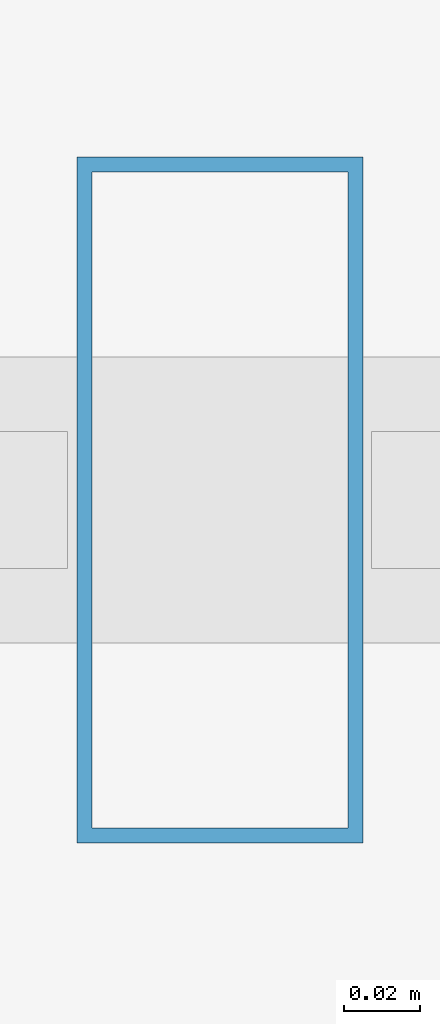
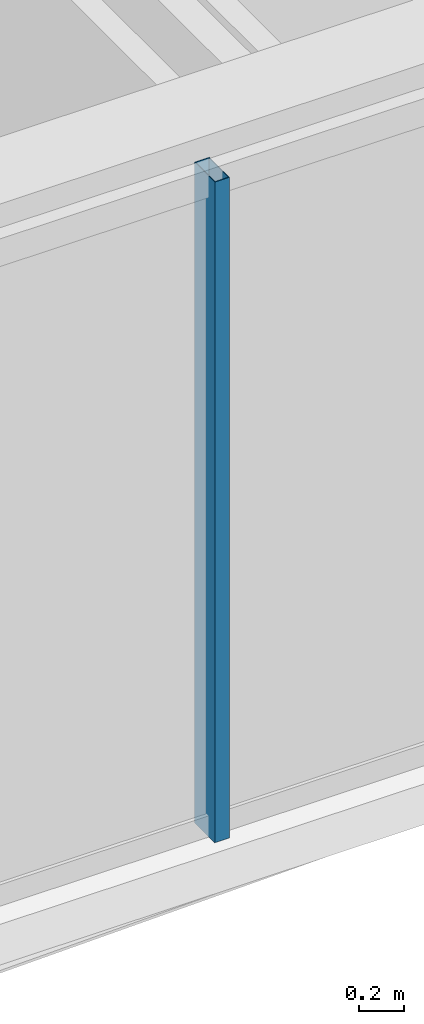
# One storey, part 9 of 33: 1 member, 1 element without a shape of its own.
"""IFC4 building model written with IfcOpenShell, lengths in metres."""

from ifc_helpers import new_model, si_unit, direction, frame, origin, origin_2d, place, context, subcontext, project, spatial, hollow_rectangle, extrude, material, layer, layer_set, material_profile, profile_set, type_object, element, aggregate, save


model = new_model("IFC4")

# Units and contexts
model_context = context("Model", 3, precision=1e-05, world=origin(), true_north=direction((0.0, 1.0)))
body_context = subcontext(model_context, "Body", "Model", "MODEL_VIEW")
ifc_project = project(units=[si_unit("LENGTHUNIT", "METRE"), si_unit("AREAUNIT", "SQUARE_METRE"), si_unit("VOLUMEUNIT", "CUBIC_METRE"), si_unit("PLANEANGLEUNIT", "RADIAN"), si_unit("MASSUNIT", "GRAM", prefix="KILO")], contexts=[model_context])

# Site, building, storey
site_placement = place(None, origin())
site = spatial("IfcSite", under=ifc_project, at=site_placement, CompositionType="ELEMENT")
building_placement = place(site_placement, origin())
building = spatial("IfcBuilding", under=site, at=building_placement, Name="Ndaravel Arena Tower", CompositionType="ELEMENT")
storey_placement = place(building_placement, frame((0.0, 0.0, 149.800048828125)))
storey = spatial("IfcBuildingStorey", under=building, at=storey_placement, Name="L35", CompositionType="ELEMENT", Elevation=149.800048828125)

# Curtain wall, member
ifc_material_1 = material(Name="Aluminium", Category="aluminium")
ifc_layer = layer(ifc_material_1, 0.179931640625)
ifc_layer_set = layer_set([ifc_layer], Name="Aluminium")
curtain_wall_type = type_object("IfcCurtainWallType", Name="CW-SYS-03", PredefinedType="NOTDEFINED", material=ifc_layer_set)
curtain_wall_placement = place(storey_placement, origin())
curtain_wall = element("IfcCurtainWall", 1, at=curtain_wall_placement, inside=storey, type_object=curtain_wall_type, Name="L35 Faceted Crystal Curtain Wall CW-L35-E01", PredefinedType="NOTDEFINED")
ifc_material_2 = material(Name="Aluminium", Category="aluminium")
ifc_material_profile = material_profile(ifc_material_2, hollow_rectangle(XDim=0.074951171875, YDim=0.179931640625, WallThickness=0.00390625, at=origin_2d()), Name="CW MULLION 75x180x4")
ifc_profile_set = profile_set([ifc_material_profile], Name="Aluminium")
member_type = type_object("IfcMemberType", Name="MEM-CW-MUL180", PredefinedType="MULLION", material=ifc_profile_set)
member_placement = place(storey_placement, frame((46.51904296875, 5.159912109375, 0.0), z_axis=(0.0, 0.0, 1.0), x_axis=(1.0, 0.0, 0.0)))
member = element("IfcMember", 2, at=member_placement, type_object=member_type, Name="CW-L35-E01 Mullion 05", PredefinedType="MULLION", context=body_context, shape_type="SweptSolid", body=[
    extrude(hollow_rectangle(XDim=0.074951171875, YDim=0.179931640625, WallThickness=0.00390625, at=origin_2d()), origin(), (0.0, 0.0, 1.0), 3.579833984375),
])
aggregate(curtain_wall, [member])

save(model, "model.ifc")
